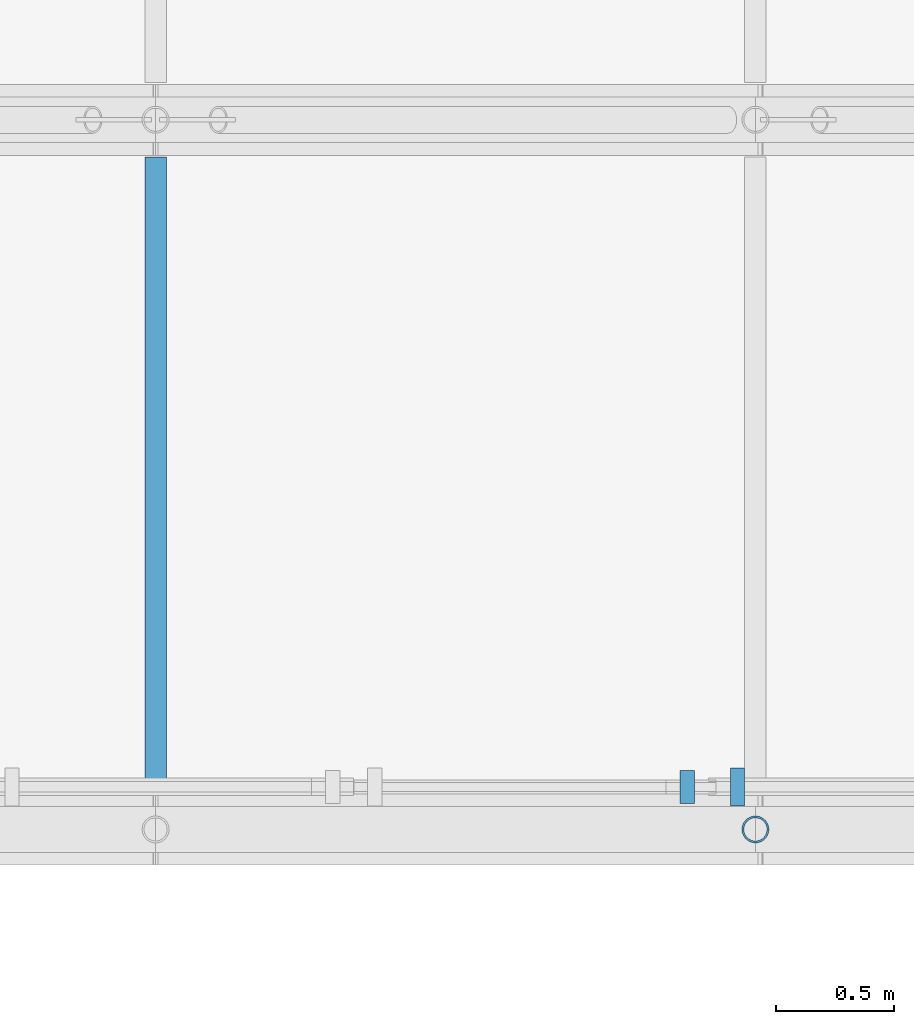
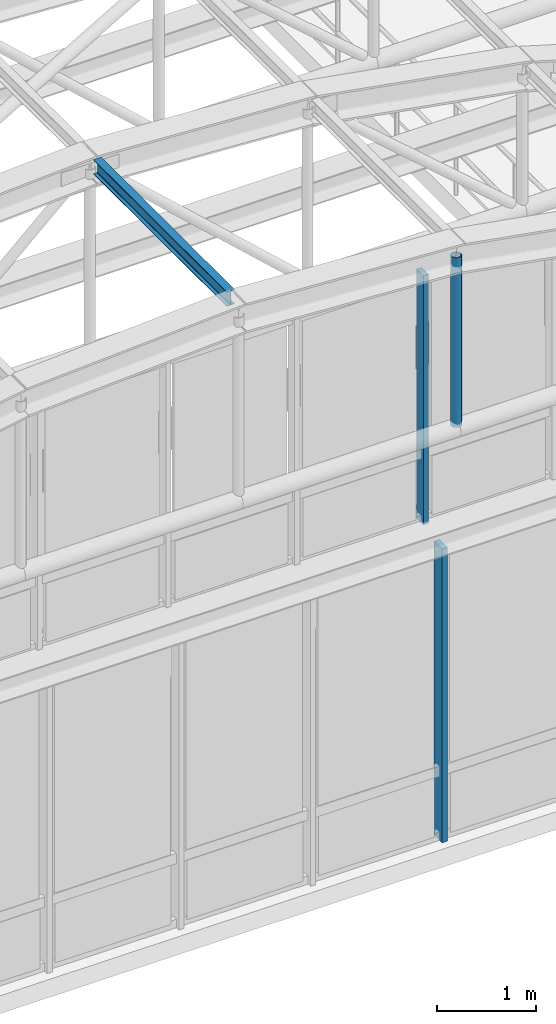
# One storey, part 55 of 148: 3 members, 1 beam, 2 elements without a shape of their own.
"""IFC4 building model written with IfcOpenShell, lengths in metres."""

from ifc_helpers import new_model, si_unit, direction, frame, origin, origin_2d, place, context, subcontext, project, spatial, rectangle, hollow_circle, i_section, extrude, material, layer, layer_set, material_profile, profile_set, type_object, element, aggregate, save


model = new_model("IFC4")

# Units and contexts
model_context = context("Model", 3, precision=1e-05, world=origin(), true_north=direction((0.0, 1.0)))
body_context = subcontext(model_context, "Body", "Model", "MODEL_VIEW")
ifc_project = project(units=[si_unit("LENGTHUNIT", "METRE"), si_unit("AREAUNIT", "SQUARE_METRE"), si_unit("VOLUMEUNIT", "CUBIC_METRE"), si_unit("PLANEANGLEUNIT", "RADIAN"), si_unit("MASSUNIT", "GRAM", prefix="KILO"), si_unit("THERMODYNAMICTEMPERATUREUNIT", "KELVIN"), si_unit("POWERUNIT", "WATT")], contexts=[model_context])

# Site, building, storey
site_placement = place(None, origin())
site = spatial("IfcSite", under=ifc_project, at=site_placement, CompositionType="ELEMENT")
building_placement = place(site_placement, origin())
building = spatial("IfcBuilding", under=site, at=building_placement, Name="Solvatero Civic Police Headquarters", CompositionType="ELEMENT")
storey_placement = place(building_placement, frame((0.0, 0.0, 5.10009765625)))
storey = spatial("IfcBuildingStorey", under=building, at=storey_placement, Name="L01", CompositionType="ELEMENT", Elevation=5.10009765625)

# Beam
ifc_material_1 = material(Name="Steel S355", Category="steel")
ifc_material_profile_1 = material_profile(ifc_material_1, i_section(OverallWidth=0.091064453125, OverallDepth=0.179931640625, WebThickness=0.00537109375, FlangeThickness=0.008056640625, FilletRadius=0.009033203125, at=origin_2d()), Name="IPE 180")
ifc_profile_set_1 = profile_set([ifc_material_profile_1], Name="Steel S355")
beam_type = type_object("IfcBeamType", Name="BM-ST-IPE180", PredefinedType="JOIST", material=ifc_profile_set_1)
beam_placement = place(storey_placement, frame((76.800048828125, 41.657958984375, 7.524658203125), z_axis=(0.0, 1.0, 0.0), x_axis=(-1.0, 0.0, 0.0)))
element("IfcBeam", 1, at=beam_placement, inside=storey, type_object=beam_type, Name="VLT2 Vault Roof Purlin B1.5", PredefinedType="JOIST", context=body_context, shape_type="SweptSolid", body=[
    extrude(i_section(OverallWidth=0.091064453125, OverallDepth=0.179931640625, WebThickness=0.00537109375, FlangeThickness=0.008056640625, FilletRadius=0.009033203125, at=origin_2d()), origin(), (0.0, 0.0, 1.0), 2.68408203125),
])

# Curtain wall, member
ifc_material_2 = material(Name="Anodized Bronze Aluminium", Category="aluminium")
ifc_layer_1 = layer(ifc_material_2, 0.179931640625)
ifc_layer_set_1 = layer_set([ifc_layer_1], Name="Anodized Bronze Aluminium")
curtain_wall_type_1 = type_object("IfcCurtainWallType", Name="CW-VLT-TYMP", PredefinedType="USERDEFINED", material=ifc_layer_set_1)
curtain_wall_1_placement = place(storey_placement, origin())
curtain_wall_1 = element("IfcCurtainWall", 2, at=curtain_wall_1_placement, inside=storey, type_object=curtain_wall_type_1, Name="Curtain Wall CW-R2-L01-VLT2-S", ObjectType="UNITISED", PredefinedType="USERDEFINED")
ifc_material_profile_2 = material_profile(ifc_material_2, rectangle(XDim=0.06005859375, YDim=0.139892578125, at=origin_2d()), Name="ALU MULLION 60x140")
ifc_profile_set_2 = profile_set([ifc_material_profile_2], Name="Anodized Bronze Aluminium")
member_type_1 = type_object("IfcMemberType", Name="CWM-160x65", PredefinedType="MULLION", material=ifc_profile_set_2)
member_1_placement = place(storey_placement, frame((79.04736328125, 41.679931640625, 3.97998046875), z_axis=(0.0, 0.0, 1.0), x_axis=(1.0, 0.0, 0.0)))
member_1 = element("IfcMember", 3, at=member_1_placement, type_object=member_type_1, Name="CW-R2-L01-VLT2-S Mullion 8", PredefinedType="MULLION", context=body_context, shape_type="SweptSolid", body=[
    extrude(rectangle(XDim=0.06005859375, YDim=0.139892578125, at=origin_2d()), origin(), (0.0, 0.0, 1.0), 3.06982421875),
])
aggregate(curtain_wall_1, [member_1])

ifc_layer_2 = layer(ifc_material_2, 0.179931640625)
ifc_layer_set_2 = layer_set([ifc_layer_2], Name="Anodized Bronze Aluminium")
curtain_wall_type_2 = type_object("IfcCurtainWallType", Name="CW-HAL-GLZ", PredefinedType="USERDEFINED", material=ifc_layer_set_2)
curtain_wall_2_placement = place(storey_placement, origin())
curtain_wall_2 = element("IfcCurtainWall", 4, at=curtain_wall_2_placement, inside=storey, type_object=curtain_wall_type_2, Name="Curtain Wall CW-R2-L01-V2-S", ObjectType="UNITISED", PredefinedType="USERDEFINED")
ifc_material_profile_3 = material_profile(ifc_material_2, rectangle(XDim=0.06005859375, YDim=0.159912109375, at=origin_2d()), Name="ALU MULLION 60x160")
ifc_profile_set_3 = profile_set([ifc_material_profile_3], Name="Anodized Bronze Aluminium")
member_type_2 = type_object("IfcMemberType", Name="CWM-180x70", PredefinedType="MULLION", material=ifc_profile_set_3)
member_2_placement = place(storey_placement, frame((79.260009765625, 41.679931640625, 0.0), z_axis=(0.0, 0.0, 1.0), x_axis=(1.0, 0.0, 0.0)))
member_2 = element("IfcMember", 5, at=member_2_placement, type_object=member_type_2, Name="CW-R2-L01-V2-S Mullion 10", PredefinedType="MULLION", context=body_context, shape_type="SweptSolid", body=[
    extrude(rectangle(XDim=0.06005859375, YDim=0.159912109375, at=origin_2d()), origin(), (0.0, 0.0, 1.0), 3.619873046875),
])
aggregate(curtain_wall_2, [member_2])

# Member
ifc_material_profile_4 = material_profile(ifc_material_1, hollow_circle(Radius=0.05712890625, WallThickness=0.008056640625, at=origin_2d()), Name="CHS 114.3x8.0")
ifc_profile_set_4 = profile_set([ifc_material_profile_4], Name="Steel S355")
member_type_3 = type_object("IfcMemberType", Name="MB-HNG-CHS114", PredefinedType="STRUT", material=ifc_profile_set_4)
member_3_placement = place(storey_placement, frame((79.335693359375, 41.5, 5.17626953125), z_axis=(0.0, 0.0, 1.0), x_axis=(1.0, 0.0, 0.0)))
element("IfcMember", 6, at=member_3_placement, inside=storey, type_object=member_type_3, Name="VLT2 Vault Vertical Hanger F1.6", PredefinedType="STRUT", context=body_context, shape_type="SweptSolid", body=[
    extrude(hollow_circle(Radius=0.05712890625, WallThickness=0.008056640625, at=origin_2d()), origin(), (0.0, 0.0, 1.0), 2.089599609375),
])

save(model, "model.ifc")
